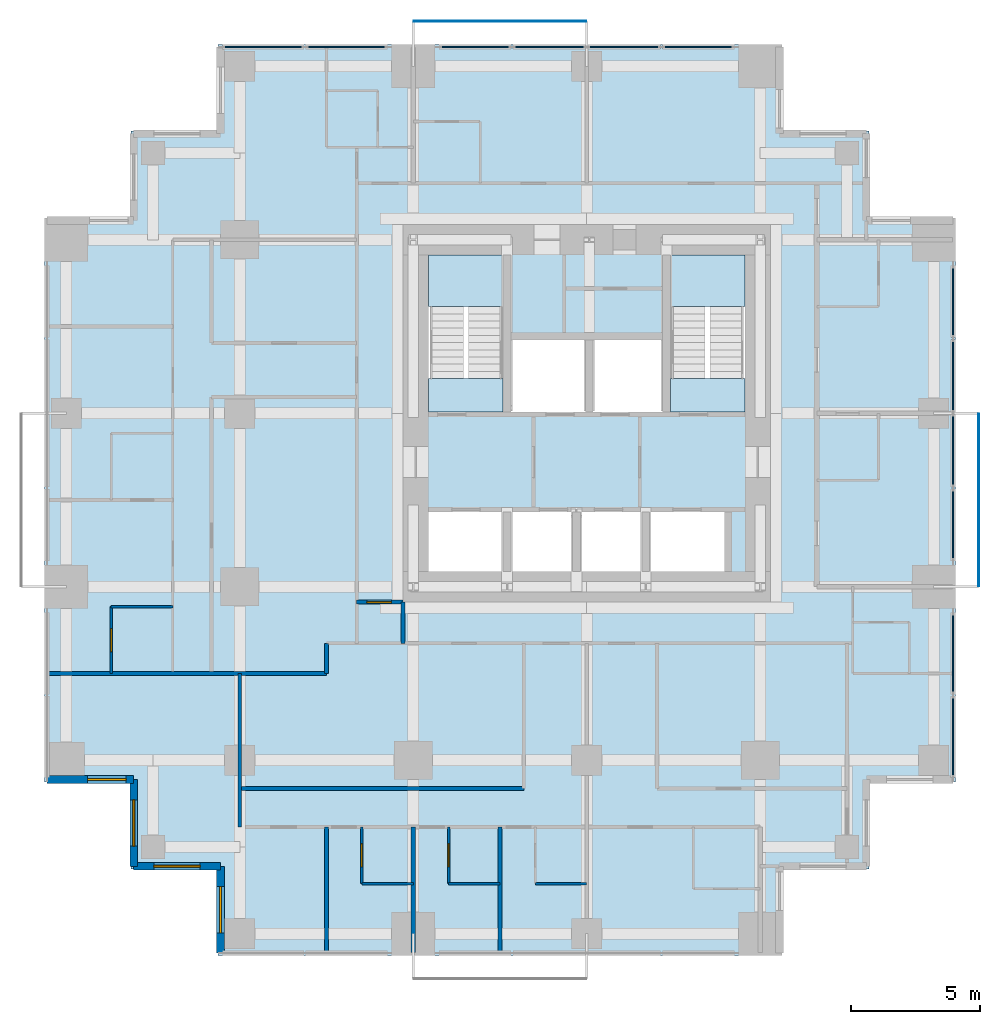
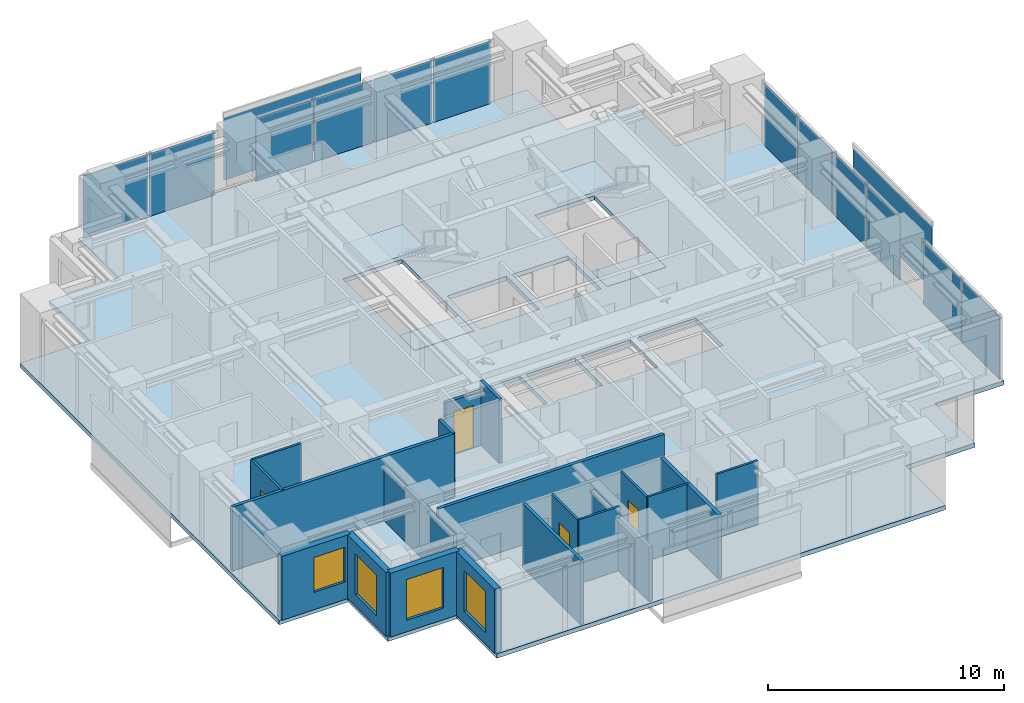
# One storey, part 5 of 10: 20 walls, 14 plates, 5 slabs, 4 doors, 4 windows, 8 openings, 6 elements without a shape of their own.
"""IFC4 building model written with IfcOpenShell, lengths in metres."""

from ifc_helpers import new_model, si_unit, direction, frame, frame_2d, origin, origin_2d, place, context, subcontext, project, spatial, polyline, rectangle, outline, extrude, material, layer, layer_set, type_object, element, fill, aggregate, save


model = new_model("IFC4")

# Units and contexts
model_context = context("Model", 3, precision=1e-05, world=origin(), true_north=direction((0.0, 1.0)))
body_context = subcontext(model_context, "Body", "Model", "MODEL_VIEW")
ifc_project = project(units=[si_unit("LENGTHUNIT", "METRE"), si_unit("AREAUNIT", "SQUARE_METRE"), si_unit("VOLUMEUNIT", "CUBIC_METRE"), si_unit("PLANEANGLEUNIT", "RADIAN"), si_unit("MASSUNIT", "GRAM", prefix="KILO")], contexts=[model_context])

# Site, building, storey
site_placement = place(None, origin())
site = spatial("IfcSite", under=ifc_project, at=site_placement, CompositionType="ELEMENT")
building_placement = place(site_placement, origin())
building = spatial("IfcBuilding", under=site, at=building_placement, Name="Nyansa Garden Tower", CompositionType="ELEMENT")
storey_placement = place(building_placement, frame((0.0, 0.0, 196.199951171875)))
storey = spatial("IfcBuildingStorey", under=building, at=storey_placement, Name="L53", CompositionType="ELEMENT", Elevation=196.199951171875)

# Curtain wall, plates
ifc_material_1 = material(Name="Black anodised aluminium, dark tinted double glazing", Category="aluminium")
curtain_wall_type = type_object("IfcCurtainWallType", Name="Inner skin curtain wall ISW-C", PredefinedType="USERDEFINED", material=ifc_material_1)
curtain_wall_1_placement = place(storey_placement, origin())
curtain_wall_1 = element("IfcCurtainWall", 1, at=curtain_wall_1_placement, inside=storey, type_object=curtain_wall_type, Name="Inner skin curtain wall L53 E", ObjectType="UNITISED CURTAIN WALL", PredefinedType="USERDEFINED")
ifc_material_2 = material(Name="Dark tinted laminated double glazing", Category="glass")
ifc_layer_1 = layer(ifc_material_2, 0.0400390625)
ifc_layer_set_1 = layer_set([ifc_layer_1], Name="Dark tinted vision panel VP-C")
plate_type_1 = type_object("IfcPlateType", Name="Dark tinted vision panel VP-C", PredefinedType="CURTAIN_PANEL", material=ifc_layer_set_1)
plate_1_placement = place(storey_placement, frame((34.5, 7.657470703125, 0.0), z_axis=(0.0, 0.0, 1.0), x_axis=(0.0, 1.0, 0.0)))
plate_1 = element("IfcPlate", 2, at=plate_1_placement, type_object=plate_type_1, Name="ISW-C panel 1", PredefinedType="CURTAIN_PANEL", context=body_context, shape_type="SweptSolid", body=[
    extrude(rectangle(XDim=3.175048828125, YDim=0.0400390625, at=origin_2d()), origin(), (0.0, 0.0, 1.0), 3.22998046875),
])
plate_2_placement = place(storey_placement, frame((34.5, 10.902587890625, 0.0), z_axis=(0.0, 0.0, 1.0), x_axis=(0.0, 1.0, 0.0)))
plate_2 = element("IfcPlate", 3, at=plate_2_placement, type_object=plate_type_1, Name="ISW-C panel 2", PredefinedType="CURTAIN_PANEL", context=body_context, shape_type="SweptSolid", body=[
    extrude(rectangle(XDim=3.175048828125, YDim=0.0400390625, at=origin_2d()), origin(), (0.0, 0.0, 1.0), 3.22998046875),
])
aggregate(curtain_wall_1, [plate_1, plate_2])

curtain_wall_2_placement = place(storey_placement, origin())
curtain_wall_2 = element("IfcCurtainWall", 4, at=curtain_wall_2_placement, inside=storey, type_object=curtain_wall_type, Name="Inner skin curtain wall L53 E", ObjectType="UNITISED CURTAIN WALL", PredefinedType="USERDEFINED")
plate_3_placement = place(storey_placement, frame((34.5, 15.909912109375, 0.0), z_axis=(0.0, 0.0, 1.0), x_axis=(0.0, 1.0, 0.0)))
plate_3 = element("IfcPlate", 5, at=plate_3_placement, type_object=plate_type_1, Name="ISW-C panel 1", PredefinedType="CURTAIN_PANEL", context=body_context, shape_type="SweptSolid", body=[
    extrude(rectangle(XDim=2.800048828125, YDim=0.0400390625, at=origin_2d()), origin(), (0.0, 0.0, 1.0), 3.22998046875),
])
plate_4_placement = place(storey_placement, frame((34.5, 18.797607421875, 0.0), z_axis=(0.0, 0.0, 1.0), x_axis=(0.0, 1.0, 0.0)))
plate_4 = element("IfcPlate", 6, at=plate_4_placement, type_object=plate_type_1, Name="ISW-C panel 2", PredefinedType="CURTAIN_PANEL", context=body_context, shape_type="SweptSolid", body=[
    extrude(rectangle(XDim=2.8349609375, YDim=0.0400390625, at=origin_2d()), origin(), (0.0, 0.0, 1.0), 3.22998046875),
])
plate_5_placement = place(storey_placement, frame((34.5, 21.702392578125, 0.0), z_axis=(0.0, 0.0, 1.0), x_axis=(0.0, 1.0, 0.0)))
plate_5 = element("IfcPlate", 7, at=plate_5_placement, type_object=plate_type_1, Name="ISW-C panel 3", PredefinedType="CURTAIN_PANEL", context=body_context, shape_type="SweptSolid", body=[
    extrude(rectangle(XDim=2.8349609375, YDim=0.0400390625, at=origin_2d()), origin(), (0.0, 0.0, 1.0), 3.22998046875),
])
plate_6_placement = place(storey_placement, frame((34.5, 24.590087890625, 0.0), z_axis=(0.0, 0.0, 1.0), x_axis=(0.0, 1.0, 0.0)))
plate_6 = element("IfcPlate", 8, at=plate_6_placement, type_object=plate_type_1, Name="ISW-C panel 4", PredefinedType="CURTAIN_PANEL", context=body_context, shape_type="SweptSolid", body=[
    extrude(rectangle(XDim=2.800048828125, YDim=0.0400390625, at=origin_2d()), origin(), (0.0, 0.0, 1.0), 3.22998046875),
])
aggregate(curtain_wall_2, [plate_3, plate_4, plate_5, plate_6])

curtain_wall_3_placement = place(storey_placement, origin())
curtain_wall_3 = element("IfcCurtainWall", 9, at=curtain_wall_3_placement, inside=storey, type_object=curtain_wall_type, Name="Inner skin curtain wall L53 N", ObjectType="UNITISED CURTAIN WALL", PredefinedType="USERDEFINED")
plate_7_placement = place(storey_placement, frame((24.590087890625, 34.5, 0.0), z_axis=(0.0, 0.0, 1.0), x_axis=(-1.0, 0.0, 0.0)))
plate_7 = element("IfcPlate", 10, at=plate_7_placement, type_object=plate_type_1, Name="ISW-C panel 1", PredefinedType="CURTAIN_PANEL", context=body_context, shape_type="SweptSolid", body=[
    extrude(rectangle(XDim=2.800048828125, YDim=0.0400390625, at=origin_2d()), origin(), (0.0, 0.0, 1.0), 3.22998046875),
])
plate_8_placement = place(storey_placement, frame((21.702392578125, 34.5, 0.0), z_axis=(0.0, 0.0, 1.0), x_axis=(-1.0, 0.0, 0.0)))
plate_8 = element("IfcPlate", 11, at=plate_8_placement, type_object=plate_type_1, Name="ISW-C panel 2", PredefinedType="CURTAIN_PANEL", context=body_context, shape_type="SweptSolid", body=[
    extrude(rectangle(XDim=2.8349609375, YDim=0.0400390625, at=origin_2d()), origin(), (0.0, 0.0, 1.0), 3.22998046875),
])
plate_9_placement = place(storey_placement, frame((18.797607421875, 34.5, 0.0), z_axis=(0.0, 0.0, 1.0), x_axis=(-1.0, 0.0, 0.0)))
plate_9 = element("IfcPlate", 12, at=plate_9_placement, type_object=plate_type_1, Name="ISW-C panel 3", PredefinedType="CURTAIN_PANEL", context=body_context, shape_type="SweptSolid", body=[
    extrude(rectangle(XDim=2.8349609375, YDim=0.0400390625, at=origin_2d()), origin(), (0.0, 0.0, 1.0), 3.22998046875),
])
plate_10_placement = place(storey_placement, frame((15.909912109375, 34.5, 0.0), z_axis=(0.0, 0.0, 1.0), x_axis=(-1.0, 0.0, 0.0)))
plate_10 = element("IfcPlate", 13, at=plate_10_placement, type_object=plate_type_1, Name="ISW-C panel 4", PredefinedType="CURTAIN_PANEL", context=body_context, shape_type="SweptSolid", body=[
    extrude(rectangle(XDim=2.800048828125, YDim=0.0400390625, at=origin_2d()), origin(), (0.0, 0.0, 1.0), 3.22998046875),
])
aggregate(curtain_wall_3, [plate_7, plate_8, plate_9, plate_10])

curtain_wall_4_placement = place(storey_placement, origin())
curtain_wall_4 = element("IfcCurtainWall", 14, at=curtain_wall_4_placement, inside=storey, type_object=curtain_wall_type, Name="Inner skin curtain wall L53 N", ObjectType="UNITISED CURTAIN WALL", PredefinedType="USERDEFINED")
plate_11_placement = place(storey_placement, frame((10.902587890625, 34.5, 0.0), z_axis=(0.0, 0.0, 1.0), x_axis=(-1.0, 0.0, 0.0)))
plate_11 = element("IfcPlate", 15, at=plate_11_placement, type_object=plate_type_1, Name="ISW-C panel 1", PredefinedType="CURTAIN_PANEL", context=body_context, shape_type="SweptSolid", body=[
    extrude(rectangle(XDim=3.175048828125, YDim=0.0400390625, at=origin_2d()), origin(), (0.0, 0.0, 1.0), 3.22998046875),
])
plate_12_placement = place(storey_placement, frame((7.657470703125, 34.5, 0.0), z_axis=(0.0, 0.0, 1.0), x_axis=(-1.0, 0.0, 0.0)))
plate_12 = element("IfcPlate", 16, at=plate_12_placement, type_object=plate_type_1, Name="ISW-C panel 2", PredefinedType="CURTAIN_PANEL", context=body_context, shape_type="SweptSolid", body=[
    extrude(rectangle(XDim=3.175048828125, YDim=0.0400390625, at=origin_2d()), origin(), (0.0, 0.0, 1.0), 3.22998046875),
])
aggregate(curtain_wall_4, [plate_11, plate_12])

# Slab
ifc_material_3 = material(Name="Concrete C40/50", Category="concrete")
ifc_layer_2 = layer(ifc_material_3, 0.22509765625)
ifc_layer_set_2 = layer_set([ifc_layer_2], Name="Floor slab FS225")
slab_type_1 = type_object("IfcSlabType", Name="Floor slab FS225", PredefinedType="FLOOR", material=ifc_layer_set_2)
slab_1_placement = place(storey_placement, frame((0.0, 0.0, -0.224853515625)))
element("IfcSlab", 17, at=slab_1_placement, inside=storey, type_object=slab_type_1, Name="Floor slab L53", PredefinedType="FLOOR", context=body_context, shape_type="SweptSolid", body=[
    extrude(outline(polyline([(34.60009765625, 5.89990234375), (31.22509765625, 5.89990234375), (31.22509765625, 2.52490234375), (27.85009765625, 2.52490234375), (27.85009765625, -0.85009765625), (5.89990234375, -0.85009765625), (5.89990234375, 2.52490234375), (2.52490234375, 2.52490234375), (2.52490234375, 5.89990234375), (-0.85009765625, 5.89990234375), (-0.85009765625, 27.85009765625), (2.52490234375, 27.85009765625), (2.52490234375, 31.22509765625), (5.89990234375, 31.22509765625), (5.89990234375, 34.60009765625), (27.85009765625, 34.60009765625), (27.85009765625, 31.22509765625), (31.22509765625, 31.22509765625), (31.22509765625, 27.85009765625), (34.60009765625, 27.85009765625), (34.60009765625, 5.89990234375)]), holes=[polyline([(14.10009765625, 14.10009765625), (17.0, 14.10009765625), (17.0, 16.39990234375), (14.10009765625, 16.39990234375), (14.10009765625, 14.10009765625)]), polyline([(17.300048828125, 14.10009765625), (19.699951171875, 14.10009765625), (19.699951171875, 16.39990234375), (17.300048828125, 16.39990234375), (17.300048828125, 14.10009765625)]), polyline([(20.0, 14.10009765625), (22.39990234375, 14.10009765625), (22.39990234375, 16.39990234375), (20.0, 16.39990234375), (20.0, 14.10009765625)]), polyline([(22.699951171875, 14.10009765625), (25.60009765625, 14.10009765625), (25.60009765625, 16.39990234375), (22.699951171875, 16.39990234375), (22.699951171875, 14.10009765625)]), polyline([(17.300048828125, 20.300048828125), (20.199951171875, 20.300048828125), (20.199951171875, 23.10009765625), (17.300048828125, 23.10009765625), (17.300048828125, 20.300048828125)]), polyline([(20.5, 20.300048828125), (23.199951171875, 20.300048828125), (23.199951171875, 23.10009765625), (20.5, 23.10009765625), (20.5, 20.300048828125)]), polyline([(14.10009765625, 20.300048828125), (17.0, 20.300048828125), (17.0, 26.39990234375), (14.10009765625, 26.39990234375), (14.10009765625, 20.300048828125)]), polyline([(23.5, 20.300048828125), (26.39990234375, 20.300048828125), (26.39990234375, 26.39990234375), (23.5, 26.39990234375), (23.5, 20.300048828125)])]), origin(), (0.0, 0.0, 1.0), 0.224853515625),
])

# Plates
ifc_material_4 = material(Name="Dark tinted laminated glass", Category="glass")
ifc_layer_3 = layer(ifc_material_4, 0.02392578125)
ifc_layer_set_3 = layer_set([ifc_layer_3], Name="Outer skin glass panel OS1")
plate_type_2 = type_object("IfcPlateType", Name="Outer skin glass panel OS1", PredefinedType="USERDEFINED", material=ifc_layer_set_3)
for number, where, z_axis, x_axis, name in (
    (18, (35.5, 16.875, -0.22509765625), (0.0, 0.0, 1.0), (0.0, 1.0, 0.0), "Outer skin glass panel L53"),
    (19, (16.875, 35.5, -0.22509765625), (0.0, 0.0, 1.0), (1.0, 0.0, 0.0), "Outer skin glass panel L53"),
):
    element("IfcPlate", number, at=place(storey_placement, frame(where, z_axis=z_axis, x_axis=x_axis)), inside=storey, type_object=plate_type_2, Name=name, ObjectType="OUTER SKIN GLASS", PredefinedType="USERDEFINED", context=body_context, shape_type="SweptSolid", body=[
        extrude(rectangle(XDim=6.7099609375, YDim=0.02392578125, at=origin_2d()), origin(), (0.0, 0.0, 1.0), 3.22509765625),
    ])

# Stair, slabs
ifc_material_5 = material(Name="Precast concrete C40/50", Category="concrete")
stair_type_1 = type_object("IfcStairType", Name="Stair S1 164x280", PredefinedType="HALF_TURN_STAIR", material=ifc_material_5)
stair_1_placement = place(storey_placement, origin())
stair_1 = element("IfcStair", 20, at=stair_1_placement, inside=storey, type_object=stair_type_1, Name="Stair S1 L53", PredefinedType="HALF_TURN_STAIR")
ifc_material_6 = material(Name="Concrete C40/50", Category="concrete")
ifc_layer_4 = layer(ifc_material_6, 0.199951171875)
ifc_layer_set_4 = layer_set([ifc_layer_4], Name="Stair landing SL200")
slab_type_2 = type_object("IfcSlabType", Name="Stair landing SL200", PredefinedType="LANDING", material=ifc_layer_set_4)
slab_2_placement = place(storey_placement, frame((0.0, 0.0, -0.199951171875)))
slab_2 = element("IfcSlab", 21, at=slab_2_placement, type_object=slab_type_2, Name="S1 landing 1", PredefinedType="LANDING", context=body_context, shape_type="SweptSolid", body=[
    extrude(outline(polyline([(14.10009765625, 20.300048828125), (17.0, 20.300048828125), (17.0, 21.60009765625), (14.10009765625, 21.60009765625), (14.10009765625, 20.300048828125)])), origin(), (0.0, 0.0, 1.0), 0.199951171875),
])
slab_3_placement = place(storey_placement, frame((0.0, 0.0, 1.60009765625)))
slab_3 = element("IfcSlab", 22, at=slab_3_placement, type_object=slab_type_2, Name="S1 landing 2", PredefinedType="LANDING", context=body_context, shape_type="SweptSolid", body=[
    extrude(outline(polyline([(14.10009765625, 24.39990234375), (17.0, 24.39990234375), (17.0, 26.39990234375), (14.10009765625, 26.39990234375), (14.10009765625, 24.39990234375)])), origin(), (0.0, 0.0, 1.0), 0.199951171875),
])
aggregate(stair_1, [slab_2, slab_3])

ifc_material_7 = material(Name="Precast concrete C40/50", Category="concrete")
stair_type_2 = type_object("IfcStairType", Name="Stair S2 164x280", PredefinedType="HALF_TURN_STAIR", material=ifc_material_7)
stair_2_placement = place(storey_placement, origin())
stair_2 = element("IfcStair", 23, at=stair_2_placement, inside=storey, type_object=stair_type_2, Name="Stair S2 L53", PredefinedType="HALF_TURN_STAIR")
slab_4_placement = place(storey_placement, frame((0.0, 0.0, -0.199951171875)))
slab_4 = element("IfcSlab", 24, at=slab_4_placement, type_object=slab_type_2, Name="S2 landing 1", PredefinedType="LANDING", context=body_context, shape_type="SweptSolid", body=[
    extrude(outline(polyline([(23.5, 20.300048828125), (26.39990234375, 20.300048828125), (26.39990234375, 21.60009765625), (23.5, 21.60009765625), (23.5, 20.300048828125)])), origin(), (0.0, 0.0, 1.0), 0.199951171875),
])
slab_5_placement = place(storey_placement, frame((0.0, 0.0, 1.60009765625)))
slab_5 = element("IfcSlab", 25, at=slab_5_placement, type_object=slab_type_2, Name="S2 landing 2", PredefinedType="LANDING", context=body_context, shape_type="SweptSolid", body=[
    extrude(outline(polyline([(23.5, 24.39990234375), (26.39990234375, 24.39990234375), (26.39990234375, 26.39990234375), (23.5, 26.39990234375), (23.5, 24.39990234375)])), origin(), (0.0, 0.0, 1.0), 0.199951171875),
])
aggregate(stair_2, [slab_4, slab_5])

# Walls
ifc_material_8 = material(Name="Dense blockwork, plastered both sides, 55 dB", Category="masonry")
ifc_layer_5 = layer(ifc_material_8, 0.175048828125)
ifc_layer_set_5 = layer_set([ifc_layer_5], Name="Acoustic party wall PW175")
wall_type_1 = type_object("IfcWallType", Name="Acoustic party wall PW175", PredefinedType="PARTITIONING", material=ifc_layer_set_5)
wall_1_placement = place(storey_placement, frame((13.5, -0.73388671875, 0.0), z_axis=(0.0, 0.0, 1.0), x_axis=(0.0, 1.0, 0.0)))
element("IfcWall", 26, at=wall_1_placement, inside=storey, type_object=wall_type_1, Name="Party wall", PredefinedType="PARTITIONING", context=body_context, shape_type="SweptSolid", body=[
    extrude(rectangle(XDim=4.8837890625, YDim=0.175048828125, at=frame_2d((2.44189453125, 0.0))), origin(), (0.0, 0.0, 1.0), 2.802001953125),
])
wall_2_placement = place(storey_placement, frame((16.875, -0.73388671875, 0.0), z_axis=(0.0, 0.0, 1.0), x_axis=(0.0, 1.0, 0.0)))
element("IfcWall", 27, at=wall_2_placement, inside=storey, type_object=wall_type_1, Name="Party wall", PredefinedType="PARTITIONING", context=body_context, shape_type="SweptSolid", body=[
    extrude(rectangle(XDim=4.8837890625, YDim=0.175048828125, at=frame_2d((2.44189453125, 0.0))), origin(), (0.0, 0.0, 1.0), 3.300048828125),
])
ifc_material_9 = material(Name="Blockwork, plastered both sides", Category="masonry")
ifc_layer_6 = layer(ifc_material_9, 0.14990234375)
ifc_layer_set_6 = layer_set([ifc_layer_6], Name="Partition PW150")
wall_type_2 = type_object("IfcWallType", Name="Partition PW150", PredefinedType="PARTITIONING", material=ifc_layer_set_6)
wall_3_placement = place(storey_placement, frame((-0.73388671875, 10.125, 0.0), z_axis=(0.0, 0.0, 1.0), x_axis=(1.0, 0.0, 0.0)))
element("IfcWall", 28, at=wall_3_placement, inside=storey, type_object=wall_type_2, Name="Partition", PredefinedType="PARTITIONING", context=body_context, shape_type="SweptSolid", body=[
    extrude(rectangle(XDim=10.85888671875, YDim=0.14990234375, at=frame_2d((5.429443359375, 0.0))), origin(), (0.0, 0.0, 1.0), 3.300048828125),
])
wall_4_placement = place(storey_placement, frame((6.75, 4.14990234375, 0.0), z_axis=(0.0, 0.0, 1.0), x_axis=(0.0, 1.0, 0.0)))
element("IfcWall", 29, at=wall_4_placement, inside=storey, type_object=wall_type_2, Name="Partition", PredefinedType="PARTITIONING", context=body_context, shape_type="SweptSolid", body=[
    extrude(rectangle(XDim=5.97509765625, YDim=0.14990234375, at=frame_2d((2.987548828125, 0.0))), origin(), (0.0, 0.0, 1.0), 2.802001953125),
])
wall_5_placement = place(storey_placement, frame((6.75, 5.64990234375, 0.0), z_axis=(0.0, 0.0, 1.0), x_axis=(1.0, 0.0, 0.0)))
element("IfcWall", 30, at=wall_5_placement, inside=storey, type_object=wall_type_2, Name="Partition", PredefinedType="PARTITIONING", context=body_context, shape_type="SweptSolid", body=[
    extrude(rectangle(XDim=11.050048828125, YDim=0.14990234375, at=frame_2d((5.52490234375, 0.0))), origin(), (0.0, 0.0, 1.0), 3.300048828125),
])
wall_6_placement = place(storey_placement, frame((10.125, -0.73388671875, 0.0), z_axis=(0.0, 0.0, 1.0), x_axis=(0.0, 1.0, 0.0)))
element("IfcWall", 31, at=wall_6_placement, inside=storey, type_object=wall_type_2, Name="Partition", PredefinedType="PARTITIONING", context=body_context, shape_type="SweptSolid", body=[
    extrude(rectangle(XDim=4.8837890625, YDim=0.14990234375, at=frame_2d((2.44189453125, 0.0))), origin(), (0.0, 0.0, 1.0), 3.300048828125),
])
wall_7_placement = place(storey_placement, frame((10.125, 10.125, 0.0), z_axis=(0.0, 0.0, 1.0), x_axis=(0.0, 1.0, 0.0)))
element("IfcWall", 32, at=wall_7_placement, inside=storey, type_object=wall_type_2, Name="Partition", PredefinedType="PARTITIONING", context=body_context, shape_type="SweptSolid", body=[
    extrude(rectangle(XDim=1.175048828125, YDim=0.14990234375, at=frame_2d((0.58740234375, 0.0))), origin(), (0.0, 0.0, 1.0), 3.300048828125),
])

# Wall, opening, door
wall_8_placement = place(storey_placement, frame((11.300048828125, 12.89990234375, 0.0), z_axis=(0.0, 0.0, 1.0), x_axis=(1.0, 0.0, 0.0)))
wall_8 = element("IfcWall", 33, at=wall_8_placement, inside=storey, type_object=wall_type_2, Name="Partition", PredefinedType="PARTITIONING", context=body_context, shape_type="SweptSolid", body=[
    extrude(rectangle(XDim=1.800048828125, YDim=0.14990234375, at=frame_2d((0.89990234375, 0.0))), origin(), (0.0, 0.0, 1.0), 2.802001953125),
])
opening_1_placement = place(wall_8_placement, frame((0.39990234375, 0.0, 0.0)))
opening_1 = element("IfcOpeningElement", 34, at=opening_1_placement, cuts=wall_8, Name="Opening D01", PredefinedType="OPENING", context=body_context, shape_type="SweptSolid", body=[
    extrude(rectangle(XDim=0.949951171875, YDim=2.199951171875, at=frame_2d((0.47509765625, 1.10009765625))), frame((0.0, 0.0849609375, 0.0), z_axis=(0.0, -1.0, 0.0), x_axis=(1.0, 0.0, 0.0)), (0.0, 0.0, 1.0), 0.169921875),
])
ifc_material_10 = material(Name="Timber flush door, 30 minute fire resisting", Category="wood")
door_type_1 = type_object("IfcDoorType", Name="Bedroom door D01 950x2200", OperationType="SINGLE_SWING_LEFT", PredefinedType="DOOR", material=ifc_material_10)
door_1_placement = place(opening_1_placement, origin())
door_1 = element("IfcDoor", 35, at=door_1_placement, inside=storey, type_object=door_type_1, Name="Door L53-017", OperationType="SINGLE_SWING_LEFT", OverallHeight=2.199951171875, OverallWidth=0.949951171875, PredefinedType="DOOR", context=body_context, shape_type="SweptSolid", body=[
    extrude(rectangle(XDim=0.949951171875, YDim=2.199951171875, at=frame_2d((0.47509765625, 1.10009765625))), frame((0.0, 0.02490234375, 0.0), z_axis=(0.0, -1.0, 0.0), x_axis=(1.0, 0.0, 0.0)), (0.0, 0.0, 1.0), 0.050048828125),
])
fill(opening_1, door_1)

# Wall
wall_9_placement = place(storey_placement, frame((13.10009765625, 11.300048828125, 0.0), z_axis=(0.0, 0.0, 1.0), x_axis=(0.0, 1.0, 0.0)))
element("IfcWall", 36, at=wall_9_placement, inside=storey, type_object=wall_type_2, Name="Partition", PredefinedType="PARTITIONING", context=body_context, shape_type="SweptSolid", body=[
    extrude(rectangle(XDim=1.599853515625, YDim=0.14990234375, at=frame_2d((0.7998046875, 0.0))), origin(), (0.0, 0.0, 1.0), 3.300048828125),
])

# Wall, opening, window
ifc_material_11 = material(Name="Turquoise glazed tile on concrete blockwork", Category="masonry")
ifc_layer_7 = layer(ifc_material_11, 0.300048828125)
ifc_layer_set_7 = layer_set([ifc_layer_7], Name="Tiled corner wall TW300")
wall_type_3 = type_object("IfcWallType", Name="Tiled corner wall TW300", PredefinedType="SOLIDWALL", material=ifc_layer_set_7)
wall_10_placement = place(storey_placement, frame((-0.75, 6.0, 0.0), z_axis=(0.0, 0.0, 1.0), x_axis=(1.0, 0.0, 0.0)))
wall_10 = element("IfcWall", 37, at=wall_10_placement, inside=storey, type_object=wall_type_3, Name="Tiled corner wall L53", PredefinedType="SOLIDWALL", context=body_context, shape_type="SweptSolid", body=[
    extrude(rectangle(XDim=3.375, YDim=0.300048828125, at=frame_2d((1.6875, 0.0))), origin(), (0.0, 0.0, 1.0), 3.300048828125),
])
opening_2_placement = place(wall_10_placement, frame((1.58251953125, 0.0, 0.89990234375)))
opening_2 = element("IfcOpeningElement", 38, at=opening_2_placement, cuts=wall_10, Name="Opening W1", PredefinedType="OPENING", context=body_context, shape_type="SweptSolid", body=[
    extrude(rectangle(XDim=1.5, YDim=1.800048828125, at=frame_2d((0.75, 0.89990234375))), frame((0.0, 0.159912109375, 0.0), z_axis=(0.0, -1.0, 0.0), x_axis=(1.0, 0.0, 0.0)), (0.0, 0.0, 1.0), 0.320068359375),
])
ifc_material_12 = material(Name="Black aluminium frame, dark tinted double glazing", Category="aluminium")
window_type_1 = type_object("IfcWindowType", Name="Window W1 1500x1800", PartitioningType="SINGLE_PANEL", PredefinedType="WINDOW", material=ifc_material_12)
window_1_placement = place(opening_2_placement, origin())
window_1 = element("IfcWindow", 39, at=window_1_placement, inside=storey, type_object=window_type_1, Name="Corner window L53", OverallHeight=1.800048828125, OverallWidth=1.5, PartitioningType="SINGLE_PANEL", PredefinedType="WINDOW", context=body_context, shape_type="SweptSolid", body=[
    extrude(rectangle(XDim=1.5, YDim=1.800048828125, at=frame_2d((0.75, 0.89990234375))), frame((0.0, 0.030029296875, 0.0), z_axis=(0.0, -1.0, 0.0), x_axis=(1.0, 0.0, 0.0)), (0.0, 0.0, 1.0), 0.06005859375),
])
fill(opening_2, window_1)

wall_11_placement = place(storey_placement, frame((2.625, 6.0, 0.0), z_axis=(0.0, 0.0, 1.0), x_axis=(0.0, -1.0, 0.0)))
wall_11 = element("IfcWall", 40, at=wall_11_placement, inside=storey, type_object=wall_type_3, Name="Tiled corner wall L53", PredefinedType="SOLIDWALL", context=body_context, shape_type="SweptSolid", body=[
    extrude(rectangle(XDim=3.375, YDim=0.300048828125, at=frame_2d((1.6875, 0.0))), origin(), (0.0, 0.0, 1.0), 3.300048828125),
])
opening_3_placement = place(wall_11_placement, frame((0.78759765625, 0.0, 0.60009765625)))
opening_3 = element("IfcOpeningElement", 41, at=opening_3_placement, cuts=wall_11, Name="Opening W2", PredefinedType="OPENING", context=body_context, shape_type="SweptSolid", body=[
    extrude(rectangle(XDim=1.800048828125, YDim=2.10009765625, at=frame_2d((0.89990234375, 1.050048828125))), frame((0.0, 0.159912109375, 0.0), z_axis=(0.0, -1.0, 0.0), x_axis=(1.0, 0.0, 0.0)), (0.0, 0.0, 1.0), 0.320068359375),
])
ifc_material_13 = material(Name="Black aluminium frame, dark tinted double glazing", Category="aluminium")
window_type_2 = type_object("IfcWindowType", Name="Window W2 1800x2100", PartitioningType="SINGLE_PANEL", PredefinedType="WINDOW", material=ifc_material_13)
window_2_placement = place(opening_3_placement, origin())
window_2 = element("IfcWindow", 42, at=window_2_placement, inside=storey, type_object=window_type_2, Name="Corner window L53", OverallHeight=2.10009765625, OverallWidth=1.800048828125, PartitioningType="SINGLE_PANEL", PredefinedType="WINDOW", context=body_context, shape_type="SweptSolid", body=[
    extrude(rectangle(XDim=1.800048828125, YDim=2.10009765625, at=frame_2d((0.89990234375, 1.050048828125))), frame((0.0, 0.030029296875, 0.0), z_axis=(0.0, -1.0, 0.0), x_axis=(1.0, 0.0, 0.0)), (0.0, 0.0, 1.0), 0.06005859375),
])
fill(opening_3, window_2)

wall_12_placement = place(storey_placement, frame((2.625, 2.625, 0.0), z_axis=(0.0, 0.0, 1.0), x_axis=(1.0, 0.0, 0.0)))
wall_12 = element("IfcWall", 43, at=wall_12_placement, inside=storey, type_object=wall_type_3, Name="Tiled corner wall L53", PredefinedType="SOLIDWALL", context=body_context, shape_type="SweptSolid", body=[
    extrude(rectangle(XDim=3.375, YDim=0.300048828125, at=frame_2d((1.6875, 0.0))), origin(), (0.0, 0.0, 1.0), 3.300048828125),
])
opening_4_placement = place(wall_12_placement, frame((0.78759765625, 0.0, 0.60009765625)))
opening_4 = element("IfcOpeningElement", 44, at=opening_4_placement, cuts=wall_12, Name="Opening W2", PredefinedType="OPENING", context=body_context, shape_type="SweptSolid", body=[
    extrude(rectangle(XDim=1.800048828125, YDim=2.10009765625, at=frame_2d((0.89990234375, 1.050048828125))), frame((0.0, 0.159912109375, 0.0), z_axis=(0.0, -1.0, 0.0), x_axis=(1.0, 0.0, 0.0)), (0.0, 0.0, 1.0), 0.320068359375),
])
window_3_placement = place(opening_4_placement, origin())
window_3 = element("IfcWindow", 45, at=window_3_placement, inside=storey, type_object=window_type_2, Name="Corner window L53", OverallHeight=2.10009765625, OverallWidth=1.800048828125, PartitioningType="SINGLE_PANEL", PredefinedType="WINDOW", context=body_context, shape_type="SweptSolid", body=[
    extrude(rectangle(XDim=1.800048828125, YDim=2.10009765625, at=frame_2d((0.89990234375, 1.050048828125))), frame((0.0, 0.030029296875, 0.0), z_axis=(0.0, -1.0, 0.0), x_axis=(1.0, 0.0, 0.0)), (0.0, 0.0, 1.0), 0.06005859375),
])
fill(opening_4, window_3)

wall_13_placement = place(storey_placement, frame((6.0, 2.625, 0.0), z_axis=(0.0, 0.0, 1.0), x_axis=(0.0, -1.0, 0.0)))
wall_13 = element("IfcWall", 46, at=wall_13_placement, inside=storey, type_object=wall_type_3, Name="Tiled corner wall L53", PredefinedType="SOLIDWALL", context=body_context, shape_type="SweptSolid", body=[
    extrude(rectangle(XDim=3.375, YDim=0.300048828125, at=frame_2d((1.6875, 0.0))), origin(), (0.0, 0.0, 1.0), 3.300048828125),
])
opening_5_placement = place(wall_13_placement, frame((0.78759765625, 0.0, 0.60009765625)))
opening_5 = element("IfcOpeningElement", 47, at=opening_5_placement, cuts=wall_13, Name="Opening W2", PredefinedType="OPENING", context=body_context, shape_type="SweptSolid", body=[
    extrude(rectangle(XDim=1.800048828125, YDim=2.10009765625, at=frame_2d((0.89990234375, 1.050048828125))), frame((0.0, 0.159912109375, 0.0), z_axis=(0.0, -1.0, 0.0), x_axis=(1.0, 0.0, 0.0)), (0.0, 0.0, 1.0), 0.320068359375),
])
window_4_placement = place(opening_5_placement, origin())
window_4 = element("IfcWindow", 48, at=window_4_placement, inside=storey, type_object=window_type_2, Name="Corner window L53", OverallHeight=2.10009765625, OverallWidth=1.800048828125, PartitioningType="SINGLE_PANEL", PredefinedType="WINDOW", context=body_context, shape_type="SweptSolid", body=[
    extrude(rectangle(XDim=1.800048828125, YDim=2.10009765625, at=frame_2d((0.89990234375, 1.050048828125))), frame((0.0, 0.030029296875, 0.0), z_axis=(0.0, -1.0, 0.0), x_axis=(1.0, 0.0, 0.0)), (0.0, 0.0, 1.0), 0.06005859375),
])
fill(opening_5, window_4)

# Wall, opening, door
ifc_material_14 = material(Name="Moisture resistant board on steel studs, tiled", Category="steel")
ifc_layer_8 = layer(ifc_material_14, 0.10009765625)
ifc_layer_set_8 = layer_set([ifc_layer_8], Name="Wet wall PW100")
wall_type_4 = type_object("IfcWallType", Name="Wet wall PW100", PredefinedType="PARTITIONING", material=ifc_layer_set_8)
wall_14_placement = place(storey_placement, frame((1.75, 10.125, 0.0), z_axis=(0.0, 0.0, 1.0), x_axis=(0.0, 1.0, 0.0)))
wall_14 = element("IfcWall", 49, at=wall_14_placement, inside=storey, type_object=wall_type_4, Name="Wet wall", PredefinedType="PARTITIONING", context=body_context, shape_type="SweptSolid", body=[
    extrude(rectangle(XDim=2.60009765625, YDim=0.10009765625, at=frame_2d((1.300048828125, 0.0))), origin(), (0.0, 0.0, 1.0), 3.300048828125),
])
opening_6_placement = place(wall_14_placement, frame((0.85009765625, 0.0, 0.0)))
opening_6 = element("IfcOpeningElement", 50, at=opening_6_placement, cuts=wall_14, Name="Opening D02", PredefinedType="OPENING", context=body_context, shape_type="SweptSolid", body=[
    extrude(rectangle(XDim=0.89990234375, YDim=2.199951171875, at=frame_2d((0.449951171875, 1.10009765625))), frame((0.0, 0.06005859375, 0.0), z_axis=(0.0, -1.0, 0.0), x_axis=(1.0, 0.0, 0.0)), (0.0, 0.0, 1.0), 0.1201171875),
])
ifc_material_15 = material(Name="Timber flush door", Category="wood")
door_type_2 = type_object("IfcDoorType", Name="En-suite door D02 900x2200", OperationType="SINGLE_SWING_RIGHT", PredefinedType="DOOR", material=ifc_material_15)
door_2_placement = place(opening_6_placement, origin())
door_2 = element("IfcDoor", 51, at=door_2_placement, inside=storey, type_object=door_type_2, Name="Door L53-047", OperationType="SINGLE_SWING_RIGHT", OverallHeight=2.199951171875, OverallWidth=0.89990234375, PredefinedType="DOOR", context=body_context, shape_type="SweptSolid", body=[
    extrude(rectangle(XDim=0.89990234375, YDim=2.199951171875, at=frame_2d((0.449951171875, 1.10009765625))), frame((0.0, 0.02490234375, 0.0), z_axis=(0.0, -1.0, 0.0), x_axis=(1.0, 0.0, 0.0)), (0.0, 0.0, 1.0), 0.050048828125),
])
fill(opening_6, door_2)

# Wall
wall_15_placement = place(storey_placement, frame((1.75, 12.72509765625, 0.0), z_axis=(0.0, 0.0, 1.0), x_axis=(1.0, 0.0, 0.0)))
element("IfcWall", 52, at=wall_15_placement, inside=storey, type_object=wall_type_4, Name="Wet wall", PredefinedType="PARTITIONING", context=body_context, shape_type="SweptSolid", body=[
    extrude(rectangle(XDim=2.39990234375, YDim=0.10009765625, at=frame_2d((1.199951171875, 0.0))), origin(), (0.0, 0.0, 1.0), 3.300048828125),
])

# Wall, opening, door
wall_16_placement = place(storey_placement, frame((11.5, 1.949951171875, 0.0), z_axis=(0.0, 0.0, 1.0), x_axis=(0.0, 1.0, 0.0)))
wall_16 = element("IfcWall", 53, at=wall_16_placement, inside=storey, type_object=wall_type_4, Name="Wet wall", PredefinedType="PARTITIONING", context=body_context, shape_type="SweptSolid", body=[
    extrude(rectangle(XDim=2.199951171875, YDim=0.10009765625, at=frame_2d((1.10009765625, 0.0))), origin(), (0.0, 0.0, 1.0), 3.300048828125),
])
opening_7_placement = place(wall_16_placement, frame((0.64990234375, 0.0, 0.0)))
opening_7 = element("IfcOpeningElement", 54, at=opening_7_placement, cuts=wall_16, Name="Opening D02", PredefinedType="OPENING", context=body_context, shape_type="SweptSolid", body=[
    extrude(rectangle(XDim=0.89990234375, YDim=2.199951171875, at=frame_2d((0.449951171875, 1.10009765625))), frame((0.0, 0.06005859375, 0.0), z_axis=(0.0, -1.0, 0.0), x_axis=(1.0, 0.0, 0.0)), (0.0, 0.0, 1.0), 0.1201171875),
])
door_3_placement = place(opening_7_placement, origin())
door_3 = element("IfcDoor", 55, at=door_3_placement, inside=storey, type_object=door_type_2, Name="Door L53-020", OperationType="SINGLE_SWING_RIGHT", OverallHeight=2.199951171875, OverallWidth=0.89990234375, PredefinedType="DOOR", context=body_context, shape_type="SweptSolid", body=[
    extrude(rectangle(XDim=0.89990234375, YDim=2.199951171875, at=frame_2d((0.449951171875, 1.10009765625))), frame((0.0, 0.02490234375, 0.0), z_axis=(0.0, -1.0, 0.0), x_axis=(1.0, 0.0, 0.0)), (0.0, 0.0, 1.0), 0.050048828125),
])
fill(opening_7, door_3)

# Wall
wall_17_placement = place(storey_placement, frame((11.5, 1.949951171875, 0.0), z_axis=(0.0, 0.0, 1.0), x_axis=(1.0, 0.0, 0.0)))
element("IfcWall", 56, at=wall_17_placement, inside=storey, type_object=wall_type_4, Name="Wet wall", PredefinedType="PARTITIONING", context=body_context, shape_type="SweptSolid", body=[
    extrude(rectangle(XDim=2.0, YDim=0.10009765625, at=frame_2d((1.0, 0.0))), origin(), (0.0, 0.0, 1.0), 3.300048828125),
])

# Wall, opening, door
wall_18_placement = place(storey_placement, frame((14.875, 1.949951171875, 0.0), z_axis=(0.0, 0.0, 1.0), x_axis=(0.0, 1.0, 0.0)))
wall_18 = element("IfcWall", 57, at=wall_18_placement, inside=storey, type_object=wall_type_4, Name="Wet wall", PredefinedType="PARTITIONING", context=body_context, shape_type="SweptSolid", body=[
    extrude(rectangle(XDim=2.199951171875, YDim=0.10009765625, at=frame_2d((1.10009765625, 0.0))), origin(), (0.0, 0.0, 1.0), 3.300048828125),
])
opening_8_placement = place(wall_18_placement, frame((0.64990234375, 0.0, 0.0)))
opening_8 = element("IfcOpeningElement", 58, at=opening_8_placement, cuts=wall_18, Name="Opening D02", PredefinedType="OPENING", context=body_context, shape_type="SweptSolid", body=[
    extrude(rectangle(XDim=0.89990234375, YDim=2.199951171875, at=frame_2d((0.449951171875, 1.10009765625))), frame((0.0, 0.06005859375, 0.0), z_axis=(0.0, -1.0, 0.0), x_axis=(1.0, 0.0, 0.0)), (0.0, 0.0, 1.0), 0.1201171875),
])
door_4_placement = place(opening_8_placement, origin())
door_4 = element("IfcDoor", 59, at=door_4_placement, inside=storey, type_object=door_type_2, Name="Door L53-022", OperationType="SINGLE_SWING_RIGHT", OverallHeight=2.199951171875, OverallWidth=0.89990234375, PredefinedType="DOOR", context=body_context, shape_type="SweptSolid", body=[
    extrude(rectangle(XDim=0.89990234375, YDim=2.199951171875, at=frame_2d((0.449951171875, 1.10009765625))), frame((0.0, 0.02490234375, 0.0), z_axis=(0.0, -1.0, 0.0), x_axis=(1.0, 0.0, 0.0)), (0.0, 0.0, 1.0), 0.050048828125),
])
fill(opening_8, door_4)

# Walls
for number, where, z_axis, x_axis, name in (
    (60, (14.875, 1.949951171875, 0.0), (0.0, 0.0, 1.0), (1.0, 0.0, 0.0), "Wet wall"),
    (61, (18.25, 1.949951171875, 0.0), (0.0, 0.0, 1.0), (1.0, 0.0, 0.0), "Wet wall"),
):
    element("IfcWall", number, at=place(storey_placement, frame(where, z_axis=z_axis, x_axis=x_axis)), inside=storey, type_object=wall_type_4, Name=name, PredefinedType="PARTITIONING", context=body_context, shape_type="SweptSolid", body=[
        extrude(rectangle(XDim=2.0, YDim=0.10009765625, at=frame_2d((1.0, 0.0))), origin(), (0.0, 0.0, 1.0), 3.300048828125),
    ])

save(model, "model.ifc")
